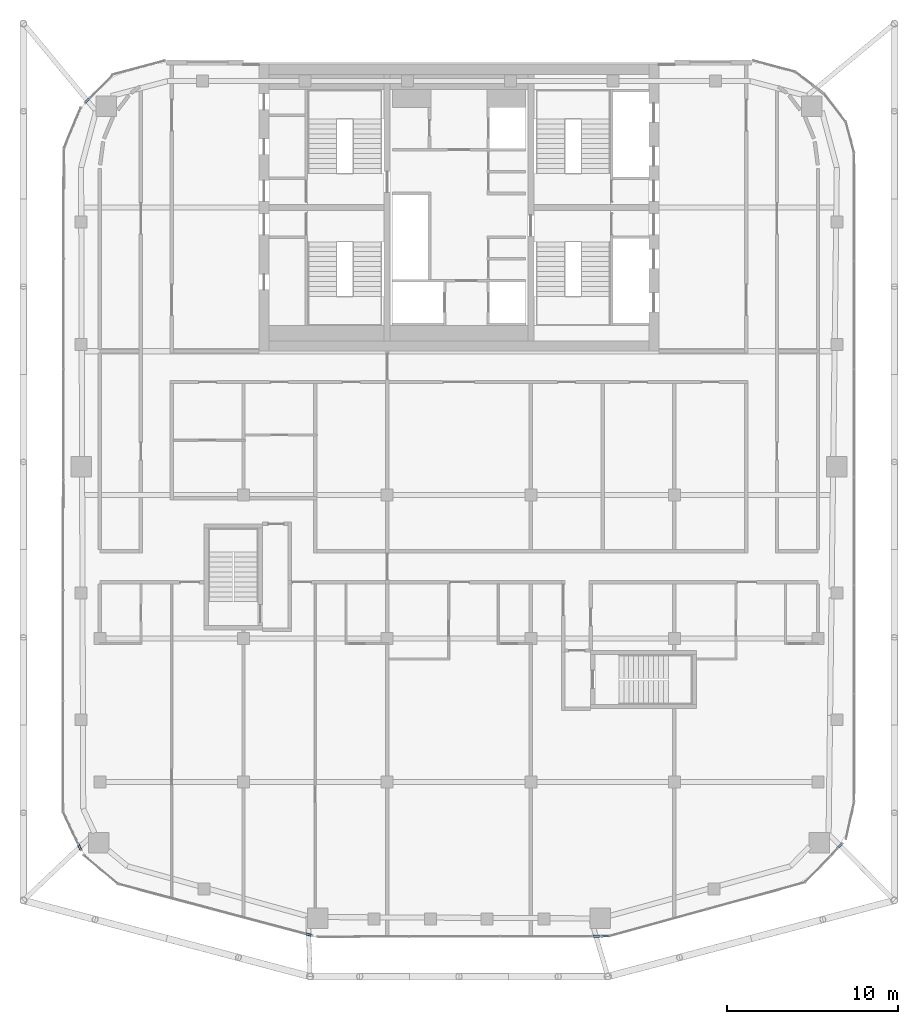
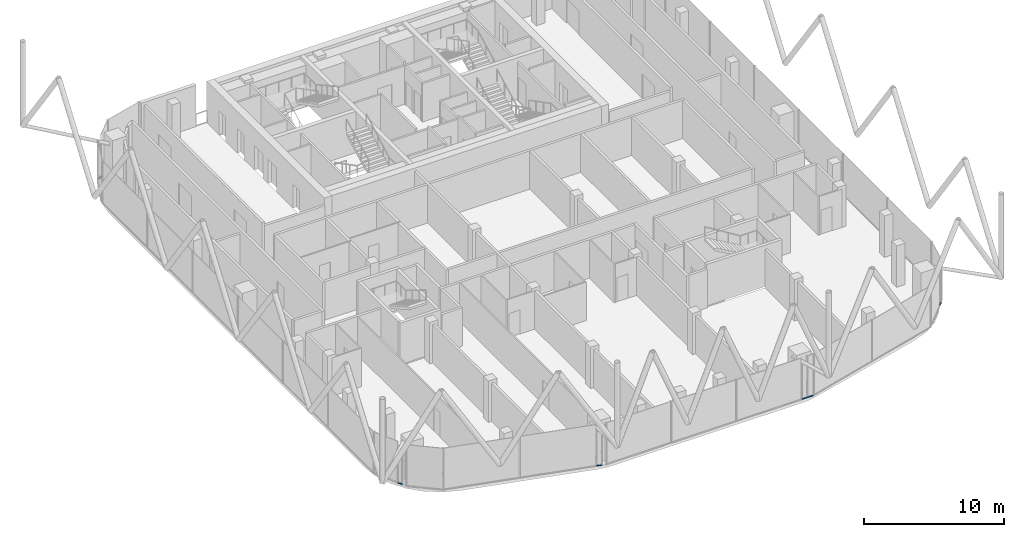
# One storey, part 13 of 27: 6 members, 6 elements without a shape of their own.
"""IFC4 building model written with IfcOpenShell, lengths in metres."""

import ifcopenshell
import ifcopenshell.guid

model = None  # the IFC model being written
_history = None  # IfcOwnerHistory: only IFC2X3 demands one
_inside = {}  # id of a spatial element -> (the spatial element, [elements in it])
_under = {}  # id of a project, library or spatial element -> (it, [spatial elements below it])
_declared = {}  # id of a project -> (the project, [libraries it declares])
_typed = {}  # id of a type object -> (the type object, [elements of that type])
_made_of = {}  # id of a material, layer set ... -> (it, [elements and type objects made of it])


def new_model(schema):
    """Start an empty IFC model of exactly this schema.

    Asked for "IFC4X3", IfcOpenShell would pick the latest addendum, in which some entities
    have other attributes; the version numbers below select the first issue.
    IFC2X3 requires an IfcOwnerHistory on every rooted entity: one is made here for all.
    """
    global model, _history
    if schema == "IFC4X3":
        model = ifcopenshell.file(schema_version=(4, 3, 0, 0))
    else:
        model = ifcopenshell.file(schema=schema)
    _inside.clear()
    _under.clear()
    _declared.clear()
    _typed.clear()
    _made_of.clear()
    _history = None
    if model.schema == "IFC2X3":
        org = make("IfcOrganization", Name="unknown")
        user = make(
            "IfcPersonAndOrganization",
            ThePerson=make("IfcPerson", FamilyName="unknown"),
            TheOrganization=org,
        )
        app = make(
            "IfcApplication",
            ApplicationDeveloper=org,
            Version="unknown",
            ApplicationFullName="unknown",
            ApplicationIdentifier="unknown",
        )
        _history = make(
            "IfcOwnerHistory",
            OwningUser=user,
            OwningApplication=app,
            ChangeAction="ADDED",
            CreationDate=0,
        )
    return model


def make(cls, **values):
    """One entity of the class cls with the attributes given. An attribute that is None is left unset."""
    return model.create_entity(
        cls, **{name: value for name, value in values.items() if value is not None}
    )


def rooted(cls, **values):
    """An entity with a GlobalId (a new one), such as an element, a storey or a relation."""
    return make(cls, GlobalId=ifcopenshell.guid.new(), OwnerHistory=_history, **values)


def si_unit(unit_type, name, prefix=None):
    """IfcSIUnit, for example si_unit("LENGTHUNIT", "METRE", prefix="MILLI")."""
    return make("IfcSIUnit", UnitType=unit_type, Prefix=prefix, Name=name)


def assignment(units):
    """IfcUnitAssignment: the units of a project."""
    return None if units is None else make("IfcUnitAssignment", Units=units)


def point(xyz):
    """IfcCartesianPoint."""
    return None if xyz is None else make("IfcCartesianPoint", Coordinates=xyz)


def direction(xyz):
    """IfcDirection."""
    return None if xyz is None else make("IfcDirection", DirectionRatios=xyz)


def frame(location, z_axis=None, x_axis=None):
    """IfcAxis2Placement3D, a coordinate frame: its origin and axes. An axis left out is left unset."""
    return make(
        "IfcAxis2Placement3D",
        Location=point(location),
        Axis=direction(z_axis),
        RefDirection=direction(x_axis),
    )


def frame_2d(location, x_axis=None):
    """IfcAxis2Placement2D, a coordinate frame in the plane: its origin and x axis."""
    return make(
        "IfcAxis2Placement2D", Location=point(location), RefDirection=direction(x_axis)
    )


def origin():
    """The frame at (0, 0, 0) with its axes left unset."""
    return frame((0.0, 0.0, 0.0))


def origin_2d():
    """The frame at (0, 0) in the plane with its x axis left unset."""
    return frame_2d((0.0, 0.0))


def place(relative_to, where):
    """IfcLocalPlacement: puts the frame where relative to a parent placement (None: the world)."""
    return make(
        "IfcLocalPlacement", PlacementRelTo=relative_to, RelativePlacement=where
    )


def context(
    kind, dimensions, precision=None, world=None, true_north=None, identifier=None
):
    """IfcGeometricRepresentationContext, for example the 3D "Model" context."""
    return make(
        "IfcGeometricRepresentationContext",
        ContextIdentifier=identifier,
        ContextType=kind,
        CoordinateSpaceDimension=dimensions,
        Precision=precision,
        WorldCoordinateSystem=world,
        TrueNorth=true_north,
    )


def subcontext(parent, identifier, kind, view, scale=None):
    """IfcGeometricRepresentationSubContext, for example "Body" below "Model"."""
    return make(
        "IfcGeometricRepresentationSubContext",
        ContextIdentifier=identifier,
        ContextType=kind,
        ParentContext=parent,
        TargetScale=scale,
        TargetView=view,
    )


def project(units=None, contexts=None):
    """IfcProject with its units and contexts."""
    return rooted(
        "IfcProject",
        Name="project",
        RepresentationContexts=contexts,
        UnitsInContext=assignment(units),
    )


def spatial(cls, under=None, at=None, **own):
    """A site, building, storey or space (cls), placed at a placement, below another one or the project."""
    s = rooted(cls, ObjectPlacement=at, **own)
    if under is not None:
        _under.setdefault(under.id(), (under, []))[1].append(s)
    return s


def profile(cls, at=None, kind="AREA", **sizes):
    """A parametric profile (cls). Its sizes go by their IFC names, for example OverallWidth=200.0."""
    return make(cls, ProfileType=kind, Position=at, **sizes)


def rectangle(**sizes):
    """IfcRectangleProfileDef."""
    return profile("IfcRectangleProfileDef", **sizes)


def extrude(swept, where, along, depth):
    """IfcExtrudedAreaSolid: the profile swept, set in the frame where, extruded along a direction by depth."""
    return make(
        "IfcExtrudedAreaSolid",
        SweptArea=swept,
        Position=where,
        ExtrudedDirection=direction(along),
        Depth=depth,
    )


def shape(context_of_items, identifier, shape_type, items):
    """IfcShapeRepresentation: the items that make up one representation, for example the "Body"."""
    return make(
        "IfcShapeRepresentation",
        ContextOfItems=context_of_items,
        RepresentationIdentifier=identifier,
        RepresentationType=shape_type,
        Items=items,
    )


def material(Name=None, Category=None):
    """IfcMaterial."""
    return make("IfcMaterial", Name=Name, Category=Category)


def layer(
    of_material, thickness, ventilated=None, Name=None, Category=None, Priority=None
):
    """IfcMaterialLayer: one layer of a wall or slab, of a material (None: an air gap)."""
    return make(
        "IfcMaterialLayer",
        Material=of_material,
        LayerThickness=thickness,
        IsVentilated=ventilated,
        Name=Name,
        Category=Category,
        Priority=Priority,
    )


def layer_set(layers, Name=None):
    """IfcMaterialLayerSet."""
    return make("IfcMaterialLayerSet", MaterialLayers=layers, LayerSetName=Name)


def material_profile(
    of_material, cross_section, Name=None, Category=None, Priority=None
):
    """IfcMaterialProfile: a cross section and its material."""
    return make(
        "IfcMaterialProfile",
        Name=Name,
        Material=of_material,
        Profile=cross_section,
        Priority=Priority,
        Category=Category,
    )


def profile_set(profiles, Name=None, composite=None):
    """IfcMaterialProfileSet."""
    return make(
        "IfcMaterialProfileSet",
        Name=Name,
        MaterialProfiles=profiles,
        CompositeProfile=composite,
    )


def made_of(thing, what):
    """Note that an element or type object is made of a material, layer set ...; save() writes the relation."""
    if what is not None:
        _made_of.setdefault(what.id(), (what, []))[1].append(thing)
    return thing


def type_object(cls, material=None, **own):
    """A type object (cls), such as IfcWallType, which elements share."""
    return made_of(rooted(cls, **own), material)


def element(
    cls,
    number,
    at=None,
    inside=None,
    cuts=None,
    type_object=None,
    material=None,
    context=None,
    identifier="Body",
    shape_type=None,
    held_by="IfcProductDefinitionShape",
    body=None,
    shapes=None,
    **own,
):
    """One element of the class cls, such as IfcWall. Its Tag is "e" and its number.

    at: its placement. inside: the storey or other place that contains it. cuts: it is an
    opening in that element (IfcRelVoidsElement). A single representation is given by context,
    identifier, shape_type and body (its items); several are given by shapes. held_by: the class
    of the entity that holds the representations. save() writes the other relations.
    """
    e = rooted(cls, Tag="e%d" % number, ObjectPlacement=at, **own)
    if body is not None:
        shapes = [shape(context, identifier, shape_type, body)]
    if shapes is not None:
        e.Representation = make(held_by, Representations=shapes)
    if inside is not None:
        _inside.setdefault(inside.id(), (inside, []))[1].append(e)
    if cuts is not None:
        rooted(
            "IfcRelVoidsElement", RelatingBuildingElement=cuts, RelatedOpeningElement=e
        )
    if type_object is not None:
        _typed.setdefault(type_object.id(), (type_object, []))[1].append(e)
    return made_of(e, material)


def aggregate(whole, parts):
    """IfcRelAggregates: a whole, such as a stair, and the parts it consists of."""
    return rooted("IfcRelAggregates", RelatingObject=whole, RelatedObjects=parts)


def save(model, path):
    """Write the relations noted so far, then the file.

    IfcRelAggregates (storeys below a building ...), IfcRelContainedInSpatialStructure (elements
    in a storey), IfcRelDefinesByType, IfcRelAssociatesMaterial and IfcRelDeclares: one each for
    every whole, place, type object, material and project.
    """
    for whole, parts in _under.values():
        aggregate(whole, parts)
    for where, things in _inside.values():
        rooted(
            "IfcRelContainedInSpatialStructure",
            RelatedElements=things,
            RelatingStructure=where,
        )
    for kind, things in _typed.values():
        rooted("IfcRelDefinesByType", RelatedObjects=things, RelatingType=kind)
    for what, things in _made_of.values():
        rooted("IfcRelAssociatesMaterial", RelatedObjects=things, RelatingMaterial=what)
    for by, libraries in _declared.values():
        rooted("IfcRelDeclares", RelatingContext=by, RelatedDefinitions=libraries)
    model.write(path)


model = new_model("IFC4")

# Units and contexts
model_context = context("Model", 3, precision=1e-05, world=origin(), true_north=direction((0.0, 1.0)))
body_context = subcontext(model_context, "Body", "Model", "MODEL_VIEW")
ifc_project = project(units=[si_unit("LENGTHUNIT", "METRE"), si_unit("AREAUNIT", "SQUARE_METRE"), si_unit("VOLUMEUNIT", "CUBIC_METRE"), si_unit("PLANEANGLEUNIT", "RADIAN"), si_unit("MASSUNIT", "GRAM", prefix="KILO")], contexts=[model_context])

# Site, building, storey
site_placement = place(None, origin())
site = spatial("IfcSite", under=ifc_project, at=site_placement, CompositionType="ELEMENT")
building_placement = place(site_placement, origin())
building = spatial("IfcBuilding", under=site, at=building_placement, Name="Marenta Gate Hotel Tower", CompositionType="ELEMENT")
storey_placement = place(building_placement, frame((0.0, 0.0, 270.5)))
storey = spatial("IfcBuildingStorey", under=building, at=storey_placement, Name="L62", CompositionType="ELEMENT", Elevation=270.5)

# Curtain wall, member
ifc_material_1 = material(Name="Tinted insulated glass in bronze anodised frame", Category="glass")
ifc_layer = layer(ifc_material_1, 0.1201171875)
ifc_layer_set = layer_set([ifc_layer], Name="Tinted insulated glass in bronze anodised frame")
curtain_wall_type = type_object("IfcCurtainWallType", Name="Tower unitised curtain wall CW1", PredefinedType="NOTDEFINED", material=ifc_layer_set)
curtain_wall_1_placement = place(storey_placement, origin())
curtain_wall_1 = element("IfcCurtainWall", 1, at=curtain_wall_1_placement, inside=storey, type_object=curtain_wall_type, Name="CW1 run G02", PredefinedType="NOTDEFINED")
ifc_material_2 = material(Name="Bronze anodised aluminium", Category="aluminium")
ifc_material_profile = material_profile(ifc_material_2, rectangle(XDim=0.1201171875, YDim=0.06005859375, at=origin_2d()), Name="Transom CW1 60x120 bronze anodised aluminium")
ifc_profile_set = profile_set([ifc_material_profile], Name="Bronze anodised aluminium")
member_type = type_object("IfcMemberType", Name="Transom CW1 60x120 bronze anodised aluminium", PredefinedType="USERDEFINED", material=ifc_profile_set)
member_1_placement = place(storey_placement, frame((-21.621826171875, 14.782958984375, 0.030029296875), z_axis=(-0.707470987543, -0.706742387144, 0.0), x_axis=(0.706742387144, -0.707470987543, 0.0)))
member_1 = element("IfcMember", 2, at=member_1_placement, type_object=member_type, Name="CW1 transom 1.1", ObjectType="TRANSOM", PredefinedType="USERDEFINED", context=body_context, shape_type="SweptSolid", body=[
    extrude(rectangle(XDim=0.1201171875, YDim=0.06005859375, at=origin_2d()), origin(), (0.0, 0.0, 1.0), 0.3349609375),
])
aggregate(curtain_wall_1, [member_1])

curtain_wall_2_placement = place(storey_placement, origin())
curtain_wall_2 = element("IfcCurtainWall", 3, at=curtain_wall_2_placement, inside=storey, type_object=curtain_wall_type, Name="CW1 run G06", PredefinedType="NOTDEFINED")
member_2_placement = place(storey_placement, frame((-22.265380859375, -28.8359375, 0.030029296875), z_axis=(0.423034871475, -0.906113402128, 0.0), x_axis=(0.906113402128, 0.423034871475, 0.0)))
member_2 = element("IfcMember", 4, at=member_2_placement, type_object=member_type, Name="CW1 transom 1.1", ObjectType="TRANSOM", PredefinedType="USERDEFINED", context=body_context, shape_type="SweptSolid", body=[
    extrude(rectangle(XDim=0.1201171875, YDim=0.06005859375, at=origin_2d()), origin(), (0.0, 0.0, 1.0), 0.35791015625),
])
aggregate(curtain_wall_2, [member_2])

curtain_wall_3_placement = place(storey_placement, origin())
curtain_wall_3 = element("IfcCurtainWall", 5, at=curtain_wall_3_placement, inside=storey, type_object=curtain_wall_type, Name="CW1 run G09", PredefinedType="NOTDEFINED")
member_3_placement = place(storey_placement, frame((-8.96240234375, -34.07275390625, 0.030029296875), z_axis=(0.966372478725, -0.257146324811, 0.0), x_axis=(0.257146324811, 0.966372478725, 0.0)))
member_3 = element("IfcMember", 6, at=member_3_placement, type_object=member_type, Name="CW1 transom 1.1", ObjectType="TRANSOM", PredefinedType="USERDEFINED", context=body_context, shape_type="SweptSolid", body=[
    extrude(rectangle(XDim=0.1201171875, YDim=0.06005859375, at=origin_2d()), origin(), (0.0, 0.0, 1.0), 0.353271484375),
])
aggregate(curtain_wall_3, [member_3])

curtain_wall_4_placement = place(storey_placement, origin())
curtain_wall_4 = element("IfcCurtainWall", 7, at=curtain_wall_4_placement, inside=storey, type_object=curtain_wall_type, Name="CW1 run G11", PredefinedType="NOTDEFINED")
member_4_placement = place(storey_placement, frame((7.838134765625, -34.214111328125, 0.030029296875), z_axis=(0.999997189018, 0.002371066245, 0.0), x_axis=(-0.002371066245, 0.999997189018, 0.0)))
member_4 = element("IfcMember", 8, at=member_4_placement, type_object=member_type, Name="CW1 transom 1.1", ObjectType="TRANSOM", PredefinedType="USERDEFINED", context=body_context, shape_type="SweptSolid", body=[
    extrude(rectangle(XDim=0.1201171875, YDim=0.06005859375, at=origin_2d()), origin(), (0.0, 0.0, 1.0), 0.411865234375),
])
aggregate(curtain_wall_4, [member_4])

curtain_wall_5_placement = place(storey_placement, origin())
curtain_wall_5 = element("IfcCurtainWall", 9, at=curtain_wall_5_placement, inside=storey, type_object=curtain_wall_type, Name="CW1 run G12", PredefinedType="NOTDEFINED")
member_5_placement = place(storey_placement, frame((8.31005859375, -34.213134765625, 0.030029296875), z_axis=(0.999997795558, 0.002099732904, 0.0), x_axis=(-0.002099732904, 0.999997795558, 0.0)))
member_5 = element("IfcMember", 10, at=member_5_placement, type_object=member_type, Name="CW1 transom 1.1", ObjectType="TRANSOM", PredefinedType="USERDEFINED", context=body_context, shape_type="SweptSolid", body=[
    extrude(rectangle(XDim=0.1201171875, YDim=0.06005859375, at=origin_2d()), origin(), (0.0, 0.0, 1.0), 0.465087890625),
])
aggregate(curtain_wall_5, [member_5])

curtain_wall_6_placement = place(storey_placement, origin())
curtain_wall_6 = element("IfcCurtainWall", 11, at=curtain_wall_6_placement, inside=storey, type_object=curtain_wall_type, Name="CW1 run G15", PredefinedType="NOTDEFINED")
member_6_placement = place(storey_placement, frame((22.174560546875, -29.03076171875, 0.030029296875), z_axis=(0.692669135562, 0.721255480839, 0.0), x_axis=(-0.721255480839, 0.692669135562, 0.0)))
member_6 = element("IfcMember", 12, at=member_6_placement, type_object=member_type, Name="CW1 transom 1.1", ObjectType="TRANSOM", PredefinedType="USERDEFINED", context=body_context, shape_type="SweptSolid", body=[
    extrude(rectangle(XDim=0.1201171875, YDim=0.06005859375, at=origin_2d()), origin(), (0.0, 0.0, 1.0), 0.3330078125),
])
aggregate(curtain_wall_6, [member_6])

save(model, "model.ifc")
